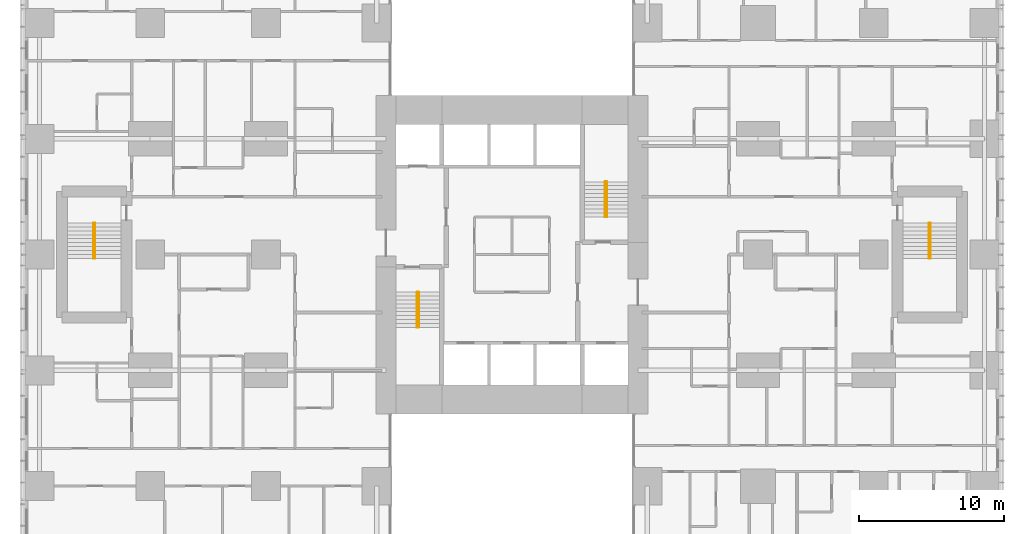
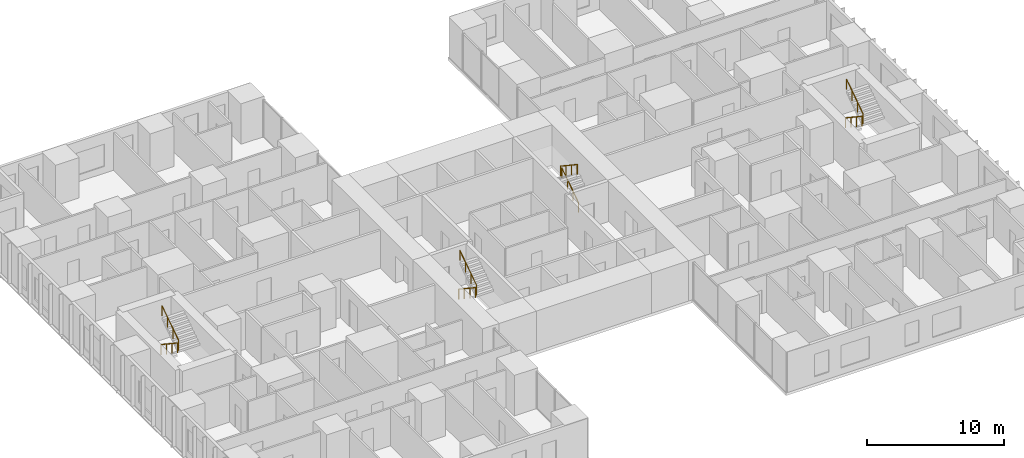
# One storey, part 20 of 20: 8 railings.
"""IFC4 building model written with IfcOpenShell, lengths in metres."""

from ifc_helpers import new_model, si_unit, direction, frame, origin, origin_2d, place, context, subcontext, project, spatial, circle, extrude, material, type_object, element, save


model = new_model("IFC4")

# Units and contexts
model_context = context("Model", 3, precision=1e-05, world=origin(), true_north=direction((0.0, 1.0)))
body_context = subcontext(model_context, "Body", "Model", "MODEL_VIEW")
ifc_project = project(units=[si_unit("LENGTHUNIT", "METRE"), si_unit("AREAUNIT", "SQUARE_METRE"), si_unit("VOLUMEUNIT", "CUBIC_METRE"), si_unit("PLANEANGLEUNIT", "RADIAN"), si_unit("MASSUNIT", "GRAM", prefix="KILO")], contexts=[model_context])

# Site, building, storey
site_placement = place(None, origin())
site = spatial("IfcSite", under=ifc_project, at=site_placement, CompositionType="ELEMENT")
building_placement = place(site_placement, origin())
building = spatial("IfcBuilding", under=site, at=building_placement, Name="Cleftline Residences", CompositionType="ELEMENT")
storey_placement = place(building_placement, frame((0.0, 0.0, 47.60009765625)))
storey = spatial("IfcBuildingStorey", under=building, at=storey_placement, Name="L11", CompositionType="ELEMENT", Elevation=47.60009765625)

# Railings
ifc_material = material(Name="Stainless steel", Category="steel")
railing_type = type_object("IfcRailingType", Name="HANDRAIL 900", PredefinedType="HANDRAIL", material=ifc_material)
railing_1_placement = place(storey_placement, frame((26.449951171875, 21.39990234375, 0.179931640625)))
element("IfcRailing", 1, at=railing_1_placement, inside=storey, type_object=railing_type, Name="Stair handrail", PredefinedType="HANDRAIL", context=body_context, shape_type="SweptSolid", body=[
    extrude(circle(Radius=0.02392578125, at=origin_2d()), frame((0.0, 0.0, 0.8759765625), z_axis=(0.0, -0.832063155534, 0.554680903946), x_axis=(1.0, 0.0, 0.0)), (0.0, 0.0, 1.0), 2.92041015625),
    extrude(circle(Radius=0.02099609375, at=origin_2d()), origin(), (0.0, 0.0, 1.0), 0.851806640625),
    extrude(circle(Radius=0.02099609375, at=origin_2d()), frame((0.0, -0.81005859375, 0.5400390625)), (0.0, 0.0, 1.0), 0.851806640625),
    extrude(circle(Radius=0.02099609375, at=origin_2d()), frame((0.0, -1.619873046875, 1.079833984375)), (0.0, 0.0, 1.0), 0.851806640625),
    extrude(circle(Radius=0.02099609375, at=origin_2d()), frame((0.0, -2.429931640625, 1.619873046875)), (0.0, 0.0, 1.0), 0.851806640625),
])
for number, where, name in (
    (2, (26.550048828125, 18.969970703125, 1.97998046875), "Stair handrail"),
    (3, (39.550048828125, 26.60009765625, 0.179931640625), "Stair handrail"),
):
    element("IfcRailing", number, at=place(storey_placement, frame(where)), inside=storey, type_object=railing_type, Name=name, PredefinedType="HANDRAIL", context=body_context, shape_type="SweptSolid", body=[
        extrude(circle(Radius=0.02392578125, at=origin_2d()), frame((0.0, 0.0, 0.8759765625), z_axis=(0.0, 0.832063155534, 0.554680903946), x_axis=(-1.0, 0.0, 0.0)), (0.0, 0.0, 1.0), 2.92041015625),
        extrude(circle(Radius=0.02099609375, at=origin_2d()), origin(), (0.0, 0.0, 1.0), 0.851806640625),
        extrude(circle(Radius=0.02099609375, at=origin_2d()), frame((0.0, 0.81005859375, 0.5400390625)), (0.0, 0.0, 1.0), 0.851806640625),
        extrude(circle(Radius=0.02099609375, at=origin_2d()), frame((0.0, 1.619873046875, 1.079833984375)), (0.0, 0.0, 1.0), 0.851806640625),
        extrude(circle(Radius=0.02099609375, at=origin_2d()), frame((0.0, 2.429931640625, 1.619873046875)), (0.0, 0.0, 1.0), 0.851806640625),
    ])
for number, where, name in (
    (4, (39.449951171875, 29.030029296875, 1.97998046875), "Stair handrail"),
    (5, (61.824951171875, 26.175048828125, 0.179931640625), "Stair handrail"),
):
    element("IfcRailing", number, at=place(storey_placement, frame(where)), inside=storey, type_object=railing_type, Name=name, PredefinedType="HANDRAIL", context=body_context, shape_type="SweptSolid", body=[
        extrude(circle(Radius=0.02392578125, at=origin_2d()), frame((0.0, 0.0, 0.8759765625), z_axis=(0.0, -0.832063155534, 0.554680903946), x_axis=(1.0, 0.0, 0.0)), (0.0, 0.0, 1.0), 2.92041015625),
        extrude(circle(Radius=0.02099609375, at=origin_2d()), origin(), (0.0, 0.0, 1.0), 0.851806640625),
        extrude(circle(Radius=0.02099609375, at=origin_2d()), frame((0.0, -0.81005859375, 0.5400390625)), (0.0, 0.0, 1.0), 0.851806640625),
        extrude(circle(Radius=0.02099609375, at=origin_2d()), frame((0.0, -1.619873046875, 1.079833984375)), (0.0, 0.0, 1.0), 0.851806640625),
        extrude(circle(Radius=0.02099609375, at=origin_2d()), frame((0.0, -2.429931640625, 1.619873046875)), (0.0, 0.0, 1.0), 0.851806640625),
    ])
railing_2_placement = place(storey_placement, frame((61.925048828125, 23.7451171875, 1.97998046875)))
element("IfcRailing", 6, at=railing_2_placement, inside=storey, type_object=railing_type, Name="Stair handrail", PredefinedType="HANDRAIL", context=body_context, shape_type="SweptSolid", body=[
    extrude(circle(Radius=0.02392578125, at=origin_2d()), frame((0.0, 0.0, 0.8759765625), z_axis=(0.0, 0.832063155534, 0.554680903946), x_axis=(-1.0, 0.0, 0.0)), (0.0, 0.0, 1.0), 2.92041015625),
    extrude(circle(Radius=0.02099609375, at=origin_2d()), origin(), (0.0, 0.0, 1.0), 0.851806640625),
    extrude(circle(Radius=0.02099609375, at=origin_2d()), frame((0.0, 0.81005859375, 0.5400390625)), (0.0, 0.0, 1.0), 0.851806640625),
    extrude(circle(Radius=0.02099609375, at=origin_2d()), frame((0.0, 1.619873046875, 1.079833984375)), (0.0, 0.0, 1.0), 0.851806640625),
    extrude(circle(Radius=0.02099609375, at=origin_2d()), frame((0.0, 2.429931640625, 1.619873046875)), (0.0, 0.0, 1.0), 0.851806640625),
])
railing_3_placement = place(storey_placement, frame((4.074951171875, 26.175048828125, 0.179931640625)))
element("IfcRailing", 7, at=railing_3_placement, inside=storey, type_object=railing_type, Name="Stair handrail", PredefinedType="HANDRAIL", context=body_context, shape_type="SweptSolid", body=[
    extrude(circle(Radius=0.02392578125, at=origin_2d()), frame((0.0, 0.0, 0.8759765625), z_axis=(0.0, -0.832063155534, 0.554680903946), x_axis=(1.0, 0.0, 0.0)), (0.0, 0.0, 1.0), 2.92041015625),
    extrude(circle(Radius=0.02099609375, at=origin_2d()), origin(), (0.0, 0.0, 1.0), 0.851806640625),
    extrude(circle(Radius=0.02099609375, at=origin_2d()), frame((0.0, -0.81005859375, 0.5400390625)), (0.0, 0.0, 1.0), 0.851806640625),
    extrude(circle(Radius=0.02099609375, at=origin_2d()), frame((0.0, -1.619873046875, 1.079833984375)), (0.0, 0.0, 1.0), 0.851806640625),
    extrude(circle(Radius=0.02099609375, at=origin_2d()), frame((0.0, -2.429931640625, 1.619873046875)), (0.0, 0.0, 1.0), 0.851806640625),
])
railing_4_placement = place(storey_placement, frame((4.175048828125, 23.7451171875, 1.97998046875)))
element("IfcRailing", 8, at=railing_4_placement, inside=storey, type_object=railing_type, Name="Stair handrail", PredefinedType="HANDRAIL", context=body_context, shape_type="SweptSolid", body=[
    extrude(circle(Radius=0.02392578125, at=origin_2d()), frame((0.0, 0.0, 0.8759765625), z_axis=(0.0, 0.832063155534, 0.554680903946), x_axis=(-1.0, 0.0, 0.0)), (0.0, 0.0, 1.0), 2.92041015625),
    extrude(circle(Radius=0.02099609375, at=origin_2d()), origin(), (0.0, 0.0, 1.0), 0.851806640625),
    extrude(circle(Radius=0.02099609375, at=origin_2d()), frame((0.0, 0.81005859375, 0.5400390625)), (0.0, 0.0, 1.0), 0.851806640625),
    extrude(circle(Radius=0.02099609375, at=origin_2d()), frame((0.0, 1.619873046875, 1.079833984375)), (0.0, 0.0, 1.0), 0.851806640625),
    extrude(circle(Radius=0.02099609375, at=origin_2d()), frame((0.0, 2.429931640625, 1.619873046875)), (0.0, 0.0, 1.0), 0.851806640625),
])

save(model, "model.ifc")
